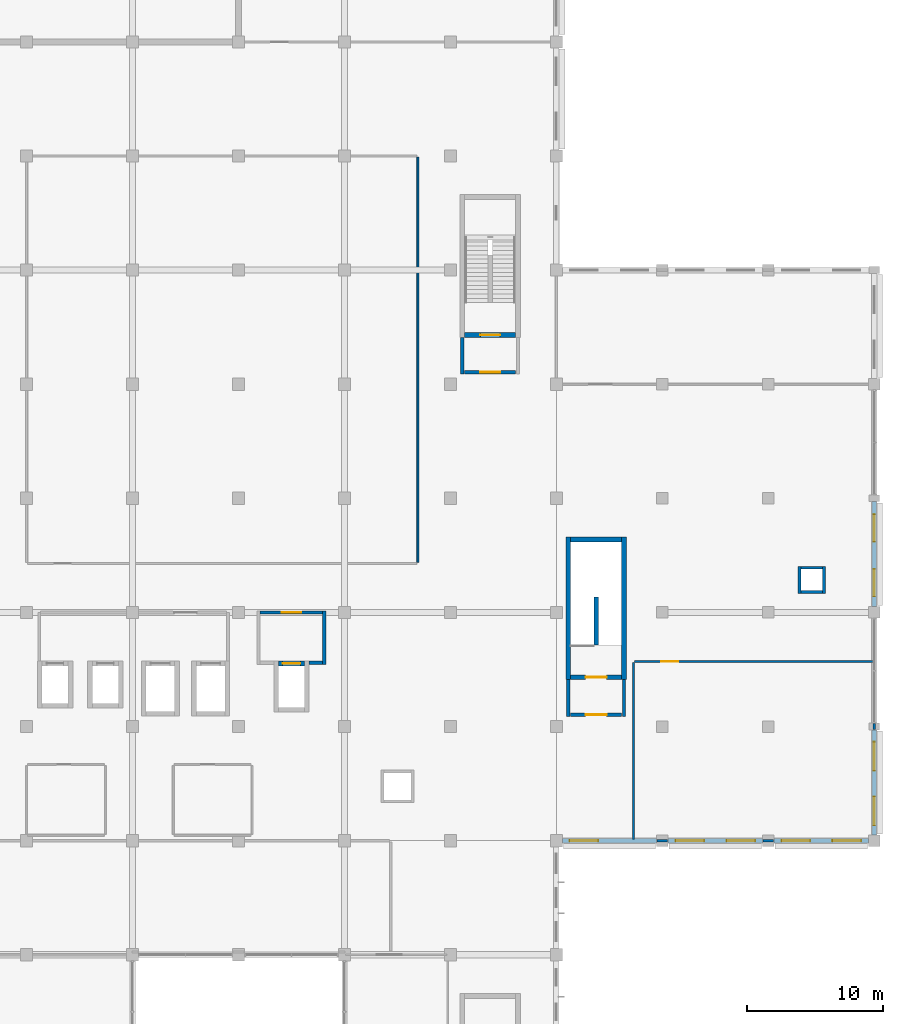
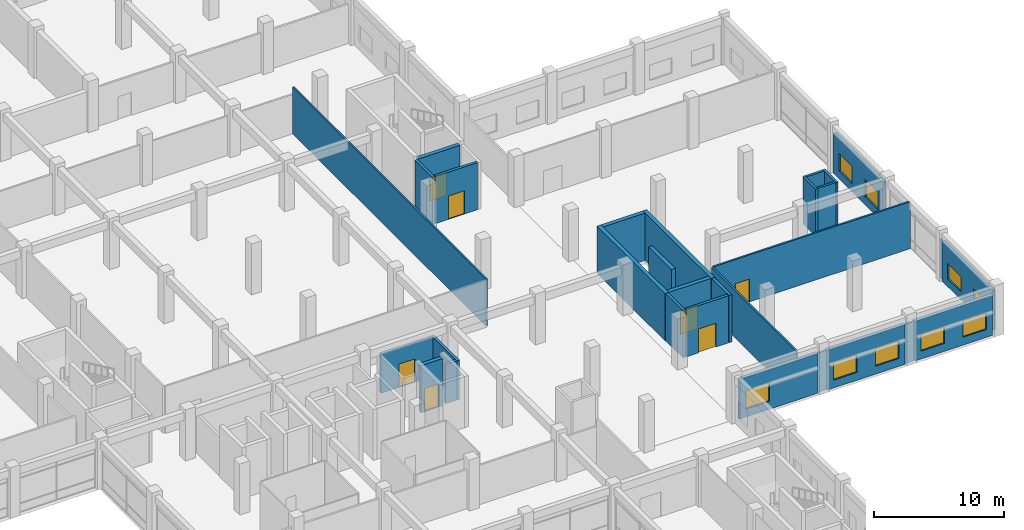
# One storey, part 64 of 79: 30 walls, 9 windows, 7 doors, 16 openings.
"""IFC4 building model written with IfcOpenShell, lengths in metres."""

import ifcopenshell
import ifcopenshell.guid

model = None  # the IFC model being written
_history = None  # IfcOwnerHistory: only IFC2X3 demands one
_inside = {}  # id of a spatial element -> (the spatial element, [elements in it])
_under = {}  # id of a project, library or spatial element -> (it, [spatial elements below it])
_declared = {}  # id of a project -> (the project, [libraries it declares])
_typed = {}  # id of a type object -> (the type object, [elements of that type])
_made_of = {}  # id of a material, layer set ... -> (it, [elements and type objects made of it])


def new_model(schema):
    """Start an empty IFC model of exactly this schema.

    Asked for "IFC4X3", IfcOpenShell would pick the latest addendum, in which some entities
    have other attributes; the version numbers below select the first issue.
    IFC2X3 requires an IfcOwnerHistory on every rooted entity: one is made here for all.
    """
    global model, _history
    if schema == "IFC4X3":
        model = ifcopenshell.file(schema_version=(4, 3, 0, 0))
    else:
        model = ifcopenshell.file(schema=schema)
    _inside.clear()
    _under.clear()
    _declared.clear()
    _typed.clear()
    _made_of.clear()
    _history = None
    if model.schema == "IFC2X3":
        org = make("IfcOrganization", Name="unknown")
        user = make(
            "IfcPersonAndOrganization",
            ThePerson=make("IfcPerson", FamilyName="unknown"),
            TheOrganization=org,
        )
        app = make(
            "IfcApplication",
            ApplicationDeveloper=org,
            Version="unknown",
            ApplicationFullName="unknown",
            ApplicationIdentifier="unknown",
        )
        _history = make(
            "IfcOwnerHistory",
            OwningUser=user,
            OwningApplication=app,
            ChangeAction="ADDED",
            CreationDate=0,
        )
    return model


def make(cls, **values):
    """One entity of the class cls with the attributes given. An attribute that is None is left unset."""
    return model.create_entity(
        cls, **{name: value for name, value in values.items() if value is not None}
    )


def rooted(cls, **values):
    """An entity with a GlobalId (a new one), such as an element, a storey or a relation."""
    return make(cls, GlobalId=ifcopenshell.guid.new(), OwnerHistory=_history, **values)


def si_unit(unit_type, name, prefix=None):
    """IfcSIUnit, for example si_unit("LENGTHUNIT", "METRE", prefix="MILLI")."""
    return make("IfcSIUnit", UnitType=unit_type, Prefix=prefix, Name=name)


def assignment(units):
    """IfcUnitAssignment: the units of a project."""
    return None if units is None else make("IfcUnitAssignment", Units=units)


def point(xyz):
    """IfcCartesianPoint."""
    return None if xyz is None else make("IfcCartesianPoint", Coordinates=xyz)


def direction(xyz):
    """IfcDirection."""
    return None if xyz is None else make("IfcDirection", DirectionRatios=xyz)


def frame(location, z_axis=None, x_axis=None):
    """IfcAxis2Placement3D, a coordinate frame: its origin and axes. An axis left out is left unset."""
    return make(
        "IfcAxis2Placement3D",
        Location=point(location),
        Axis=direction(z_axis),
        RefDirection=direction(x_axis),
    )


def frame_2d(location, x_axis=None):
    """IfcAxis2Placement2D, a coordinate frame in the plane: its origin and x axis."""
    return make(
        "IfcAxis2Placement2D", Location=point(location), RefDirection=direction(x_axis)
    )


def origin():
    """The frame at (0, 0, 0) with its axes left unset."""
    return frame((0.0, 0.0, 0.0))


def place(relative_to, where):
    """IfcLocalPlacement: puts the frame where relative to a parent placement (None: the world)."""
    return make(
        "IfcLocalPlacement", PlacementRelTo=relative_to, RelativePlacement=where
    )


def context(
    kind, dimensions, precision=None, world=None, true_north=None, identifier=None
):
    """IfcGeometricRepresentationContext, for example the 3D "Model" context."""
    return make(
        "IfcGeometricRepresentationContext",
        ContextIdentifier=identifier,
        ContextType=kind,
        CoordinateSpaceDimension=dimensions,
        Precision=precision,
        WorldCoordinateSystem=world,
        TrueNorth=true_north,
    )


def subcontext(parent, identifier, kind, view, scale=None):
    """IfcGeometricRepresentationSubContext, for example "Body" below "Model"."""
    return make(
        "IfcGeometricRepresentationSubContext",
        ContextIdentifier=identifier,
        ContextType=kind,
        ParentContext=parent,
        TargetScale=scale,
        TargetView=view,
    )


def project(units=None, contexts=None):
    """IfcProject with its units and contexts."""
    return rooted(
        "IfcProject",
        Name="project",
        RepresentationContexts=contexts,
        UnitsInContext=assignment(units),
    )


def spatial(cls, under=None, at=None, **own):
    """A site, building, storey or space (cls), placed at a placement, below another one or the project."""
    s = rooted(cls, ObjectPlacement=at, **own)
    if under is not None:
        _under.setdefault(under.id(), (under, []))[1].append(s)
    return s


def profile(cls, at=None, kind="AREA", **sizes):
    """A parametric profile (cls). Its sizes go by their IFC names, for example OverallWidth=200.0."""
    return make(cls, ProfileType=kind, Position=at, **sizes)


def rectangle(**sizes):
    """IfcRectangleProfileDef."""
    return profile("IfcRectangleProfileDef", **sizes)


def extrude(swept, where, along, depth):
    """IfcExtrudedAreaSolid: the profile swept, set in the frame where, extruded along a direction by depth."""
    return make(
        "IfcExtrudedAreaSolid",
        SweptArea=swept,
        Position=where,
        ExtrudedDirection=direction(along),
        Depth=depth,
    )


def shape(context_of_items, identifier, shape_type, items):
    """IfcShapeRepresentation: the items that make up one representation, for example the "Body"."""
    return make(
        "IfcShapeRepresentation",
        ContextOfItems=context_of_items,
        RepresentationIdentifier=identifier,
        RepresentationType=shape_type,
        Items=items,
    )


def material(Name=None, Category=None):
    """IfcMaterial."""
    return make("IfcMaterial", Name=Name, Category=Category)


def layer(
    of_material, thickness, ventilated=None, Name=None, Category=None, Priority=None
):
    """IfcMaterialLayer: one layer of a wall or slab, of a material (None: an air gap)."""
    return make(
        "IfcMaterialLayer",
        Material=of_material,
        LayerThickness=thickness,
        IsVentilated=ventilated,
        Name=Name,
        Category=Category,
        Priority=Priority,
    )


def layer_set(layers, Name=None):
    """IfcMaterialLayerSet."""
    return make("IfcMaterialLayerSet", MaterialLayers=layers, LayerSetName=Name)


def made_of(thing, what):
    """Note that an element or type object is made of a material, layer set ...; save() writes the relation."""
    if what is not None:
        _made_of.setdefault(what.id(), (what, []))[1].append(thing)
    return thing


def type_object(cls, material=None, **own):
    """A type object (cls), such as IfcWallType, which elements share."""
    return made_of(rooted(cls, **own), material)


def element(
    cls,
    number,
    at=None,
    inside=None,
    cuts=None,
    type_object=None,
    material=None,
    context=None,
    identifier="Body",
    shape_type=None,
    held_by="IfcProductDefinitionShape",
    body=None,
    shapes=None,
    **own,
):
    """One element of the class cls, such as IfcWall. Its Tag is "e" and its number.

    at: its placement. inside: the storey or other place that contains it. cuts: it is an
    opening in that element (IfcRelVoidsElement). A single representation is given by context,
    identifier, shape_type and body (its items); several are given by shapes. held_by: the class
    of the entity that holds the representations. save() writes the other relations.
    """
    e = rooted(cls, Tag="e%d" % number, ObjectPlacement=at, **own)
    if body is not None:
        shapes = [shape(context, identifier, shape_type, body)]
    if shapes is not None:
        e.Representation = make(held_by, Representations=shapes)
    if inside is not None:
        _inside.setdefault(inside.id(), (inside, []))[1].append(e)
    if cuts is not None:
        rooted(
            "IfcRelVoidsElement", RelatingBuildingElement=cuts, RelatedOpeningElement=e
        )
    if type_object is not None:
        _typed.setdefault(type_object.id(), (type_object, []))[1].append(e)
    return made_of(e, material)


def fill(opening, filler):
    """IfcRelFillsElement: the door or window that sits in an opening."""
    return rooted(
        "IfcRelFillsElement",
        RelatingOpeningElement=opening,
        RelatedBuildingElement=filler,
    )


def aggregate(whole, parts):
    """IfcRelAggregates: a whole, such as a stair, and the parts it consists of."""
    return rooted("IfcRelAggregates", RelatingObject=whole, RelatedObjects=parts)


def save(model, path):
    """Write the relations noted so far, then the file.

    IfcRelAggregates (storeys below a building ...), IfcRelContainedInSpatialStructure (elements
    in a storey), IfcRelDefinesByType, IfcRelAssociatesMaterial and IfcRelDeclares: one each for
    every whole, place, type object, material and project.
    """
    for whole, parts in _under.values():
        aggregate(whole, parts)
    for where, things in _inside.values():
        rooted(
            "IfcRelContainedInSpatialStructure",
            RelatedElements=things,
            RelatingStructure=where,
        )
    for kind, things in _typed.values():
        rooted("IfcRelDefinesByType", RelatedObjects=things, RelatingType=kind)
    for what, things in _made_of.values():
        rooted("IfcRelAssociatesMaterial", RelatedObjects=things, RelatingMaterial=what)
    for by, libraries in _declared.values():
        rooted("IfcRelDeclares", RelatingContext=by, RelatedDefinitions=libraries)
    model.write(path)


model = new_model("IFC4")

# Units and contexts
model_context = context("Model", 3, precision=1e-05, world=origin(), true_north=direction((0.0, 1.0)))
body_context = subcontext(model_context, "Body", "Model", "MODEL_VIEW")
ifc_project = project(units=[si_unit("LENGTHUNIT", "METRE"), si_unit("AREAUNIT", "SQUARE_METRE"), si_unit("VOLUMEUNIT", "CUBIC_METRE"), si_unit("PLANEANGLEUNIT", "RADIAN"), si_unit("MASSUNIT", "GRAM", prefix="KILO"), si_unit("THERMODYNAMICTEMPERATUREUNIT", "KELVIN"), si_unit("POWERUNIT", "WATT")], contexts=[model_context])

# Site, building, storey
site_placement = place(None, origin())
site = spatial("IfcSite", under=ifc_project, at=site_placement, CompositionType="ELEMENT")
building_placement = place(site_placement, origin())
building = spatial("IfcBuilding", under=site, at=building_placement, Name="Srebrne Nadtorze General Hospital", CompositionType="ELEMENT")
storey_placement = place(building_placement, frame((0.0, 0.0, 4.800048828125)))
storey = spatial("IfcBuildingStorey", under=building, at=storey_placement, Name="L01", CompositionType="ELEMENT", Elevation=4.800048828125)

# Wall
ifc_material_1 = material(Name="Gypsum Healthcare Partition")
ifc_layer_1 = layer(ifc_material_1, 0.139892578125)
ifc_layer_set_1 = layer_set([ifc_layer_1], Name="Gypsum Healthcare Partition")
wall_type_1 = type_object("IfcWallType", Name="Clinical partition 140", PredefinedType="PARTITIONING", material=ifc_layer_set_1)
wall_1_placement = place(storey_placement, frame((138.0, 54.0849609375, 0.0), z_axis=(0.0, 0.0, 1.0), x_axis=(0.0, 1.0, 0.0)))
element("IfcWall", 1, at=wall_1_placement, inside=storey, type_object=wall_type_1, Name="Nuclear Medicine Diagnostics wall WL-INT-L01-1450", PredefinedType="PARTITIONING", context=body_context, shape_type="SweptSolid", body=[
    extrude(rectangle(XDim=29.830078125, YDim=0.139892578125, at=frame_2d((14.9150390625, 0.0))), origin(), (0.0, 0.0, 1.0), 4.429931640625),
])

# Wall, opening, door
ifc_material_2 = material(Name="Gypsum Healthcare Partition")
ifc_layer_2 = layer(ifc_material_2, 0.159912109375)
ifc_layer_set_2 = layer_set([ifc_layer_2], Name="Gypsum Healthcare Partition")
wall_type_2 = type_object("IfcWallType", Name="Clinical partition 160", PredefinedType="PARTITIONING", material=ifc_layer_set_2)
wall_2_placement = place(storey_placement, frame((153.9599609375, 46.800048828125, 0.0), z_axis=(0.0, 0.0, 1.0), x_axis=(1.0, 0.0, 0.0)))
wall_2 = element("IfcWall", 2, at=wall_2_placement, inside=storey, type_object=wall_type_2, Name="Endoscopy Diagnostics Clinic wall WL-INT-L01-1456", PredefinedType="PARTITIONING", context=body_context, shape_type="SweptSolid", body=[
    extrude(rectangle(XDim=17.554931640625, YDim=0.159912109375, at=frame_2d((8.77734375, 0.0))), origin(), (0.0, 0.0, 1.0), 4.429931640625),
])
opening_1_placement = place(wall_2_placement, frame((1.97119140625, 0.0, 0.0)))
opening_1 = element("IfcOpeningElement", 3, at=opening_1_placement, cuts=wall_2, Name="Opening D-L01-0229", PredefinedType="OPENING", context=body_context, shape_type="SweptSolid", body=[
    extrude(rectangle(XDim=1.219970703125, YDim=2.14990234375, at=frame_2d((0.60986328125, 1.074951171875))), frame((0.0, 0.091796875, 0.0), z_axis=(0.0, -1.0, 0.0), x_axis=(1.0, 0.0, 0.0)), (0.0, 0.0, 1.0), 0.183837890625),
])
ifc_material_3 = material(Name="Anodised Aluminium", Category="aluminium")
door_type_1 = type_object("IfcDoorType", Name="Single leaf door 1220x2150", OperationType="NOTDEFINED", PredefinedType="DOOR", material=ifc_material_3)
door_1_placement = place(opening_1_placement, frame((1.219970703125, 0.0, 0.0), z_axis=(0.0, 0.0, 1.0), x_axis=(-1.0, 0.0, 0.0)))
door_1 = element("IfcDoor", 4, at=door_1_placement, inside=storey, type_object=door_type_1, Name="Endoscopy Diagnostics Clinic door D-L01-0229", OperationType="SINGLE_SWING_RIGHT", OverallHeight=2.14990234375, OverallWidth=1.219970703125, PredefinedType="DOOR", context=body_context, shape_type="SweptSolid", body=[
    extrude(rectangle(XDim=1.219970703125, YDim=2.14990234375, at=frame_2d((0.60986328125, 1.074951171875))), frame((0.0, 0.02490234375, 0.0), z_axis=(0.0, -1.0, 0.0), x_axis=(1.0, 0.0, 0.0)), (0.0, 0.0, 1.0), 0.050048828125),
])
fill(opening_1, door_1)

# Walls
for number, where, z_axis, x_axis, name in (
    (5, (155.614990234375, 33.60009765625, 0.0), (0.0, 0.0, 1.0), (1.0, 0.0, 0.0), "Endoscopy Diagnostics Clinic wall WL-INT-L01-1457"),
    (6, (163.4150390625, 33.60009765625, 0.0), (0.0, 0.0, 1.0), (1.0, 0.0, 0.0), "Endoscopy Diagnostics Clinic wall WL-INT-L01-1458"),
):
    element("IfcWall", number, at=place(storey_placement, frame(where, z_axis=z_axis, x_axis=x_axis)), inside=storey, type_object=wall_type_2, Name=name, PredefinedType="PARTITIONING", context=body_context, shape_type="SweptSolid", body=[
        extrude(rectangle(XDim=0.77001953125, YDim=0.159912109375, at=frame_2d((0.385009765625, 0.0))), origin(), (0.0, 0.0, 1.0), 3.699951171875),
    ])
wall_3_placement = place(storey_placement, frame((153.875, 33.68505859375, 0.0), z_axis=(0.0, 0.0, 1.0), x_axis=(0.0, 1.0, 0.0)))
element("IfcWall", 7, at=wall_3_placement, inside=storey, type_object=wall_type_2, Name="Endoscopy Diagnostics Clinic wall WL-INT-L01-1459", PredefinedType="PARTITIONING", context=body_context, shape_type="SweptSolid", body=[
    extrude(rectangle(XDim=13.030029296875, YDim=0.159912109375, at=frame_2d((6.51513671875, 0.0))), origin(), (0.0, 0.0, 1.0), 4.429931640625),
])
wall_4_placement = place(storey_placement, frame((171.60009765625, 41.7900390625, 0.0), z_axis=(0.0, 0.0, 1.0), x_axis=(0.0, 1.0, 0.0)))
element("IfcWall", 8, at=wall_4_placement, inside=storey, type_object=wall_type_2, Name="Endoscopy Diagnostics Clinic wall WL-INT-L01-1460", PredefinedType="PARTITIONING", context=body_context, shape_type="SweptSolid", body=[
    extrude(rectangle(XDim=0.419921875, YDim=0.159912109375, at=frame_2d((0.2099609375, 0.0))), origin(), (0.0, 0.0, 1.0), 3.699951171875),
])
ifc_material_4 = material(Name="Gypsum Healthcare Partition")
ifc_layer_3 = layer(ifc_material_4, 0.199951171875)
ifc_layer_set_3 = layer_set([ifc_layer_3], Name="Gypsum Healthcare Partition")
wall_type_3 = type_object("IfcWallType", Name="Compartment wall 200", PredefinedType="STANDARD", material=ifc_layer_set_3)
for number, where, z_axis, x_axis, name in (
    (9, (166.10009765625, 51.800048828125, 0.0), (0.0, 0.0, 1.0), (0.0, 1.0, 0.0), "MEP riser wall WL-INT-L01-0977"),
    (10, (167.89990234375, 51.800048828125, 0.0), (0.0, 0.0, 1.0), (0.0, 1.0, 0.0), "MEP riser wall WL-INT-L01-0978"),
):
    element("IfcWall", number, at=place(storey_placement, frame(where, z_axis=z_axis, x_axis=x_axis)), inside=storey, type_object=wall_type_3, Name=name, PredefinedType="STANDARD", context=body_context, shape_type="SweptSolid", body=[
        extrude(rectangle(XDim=2.0, YDim=0.199951171875, at=frame_2d((1.0, 0.0))), origin(), (0.0, 0.0, 1.0), 4.449951171875),
    ])
for number, where, z_axis, x_axis, name in (
    (11, (166.199951171875, 51.89990234375, 0.0), (0.0, 0.0, 1.0), (1.0, 0.0, 0.0), "MEP riser wall WL-INT-L01-0979"),
    (12, (166.199951171875, 53.699951171875, 0.0), (0.0, 0.0, 1.0), (1.0, 0.0, 0.0), "MEP riser wall WL-INT-L01-0980"),
):
    element("IfcWall", number, at=place(storey_placement, frame(where, z_axis=z_axis, x_axis=x_axis)), inside=storey, type_object=wall_type_3, Name=name, PredefinedType="STANDARD", context=body_context, shape_type="SweptSolid", body=[
        extrude(rectangle(XDim=1.60009765625, YDim=0.199951171875, at=frame_2d((0.800048828125, 0.0))), origin(), (0.0, 0.0, 1.0), 4.449951171875),
    ])
ifc_material_5 = material(Name="Gypsum Healthcare Partition")
ifc_layer_4 = layer(ifc_material_5, 0.239990234375)
ifc_layer_set_4 = layer_set([ifc_layer_4], Name="Gypsum Healthcare Partition")
wall_type_4 = type_object("IfcWallType", Name="Corridor fire wall 240", PredefinedType="STANDARD", material=ifc_layer_set_4)
wall_5_placement = place(storey_placement, frame((141.27490234375, 67.955078125, 0.0), z_axis=(0.0, 0.0, 1.0), x_axis=(0.0, 1.0, 0.0)))
element("IfcWall", 13, at=wall_5_placement, inside=storey, type_object=wall_type_4, Name="Fire lobby wall ST-04 WL-INT-L01-0157", PredefinedType="STANDARD", context=body_context, shape_type="SweptSolid", body=[
    extrude(rectangle(XDim=2.69482421875, YDim=0.239990234375, at=frame_2d((1.347412109375, 0.0))), origin(), (0.0, 0.0, 1.0), 4.449951171875),
])

# Wall, opening, door
wall_6_placement = place(storey_placement, frame((141.449951171875, 68.074951171875, 0.0), z_axis=(0.0, 0.0, 1.0), x_axis=(1.0, 0.0, 0.0)))
wall_6 = element("IfcWall", 14, at=wall_6_placement, inside=storey, type_object=wall_type_4, Name="Fire lobby entry wall ST-04 WL-INT-L01-0159", PredefinedType="STANDARD", context=body_context, shape_type="SweptSolid", body=[
    extrude(rectangle(XDim=3.75, YDim=0.239990234375, at=frame_2d((1.875, 0.0))), origin(), (0.0, 0.0, 1.0), 4.449951171875),
])
opening_2_placement = place(wall_6_placement, frame((1.14990234375, 0.0, 0.0)))
opening_2 = element("IfcOpeningElement", 15, at=opening_2_placement, cuts=wall_6, Name="Opening D-L01-0040", PredefinedType="OPENING", context=body_context, shape_type="SweptSolid", body=[
    extrude(rectangle(XDim=1.449951171875, YDim=2.199951171875, at=frame_2d((0.72509765625, 1.10009765625))), frame((0.0, 0.1318359375, 0.0), z_axis=(0.0, -1.0, 0.0), x_axis=(1.0, 0.0, 0.0)), (0.0, 0.0, 1.0), 0.263916015625),
])
ifc_material_6 = material(Name="Anodised Aluminium", Category="aluminium")
door_type_2 = type_object("IfcDoorType", Name="Double leaf door 1450x2200", OperationType="DOUBLE_DOOR_SINGLE_SWING", PredefinedType="DOOR", material=ifc_material_6)
door_2_placement = place(opening_2_placement, origin())
door_2 = element("IfcDoor", 16, at=door_2_placement, inside=storey, type_object=door_type_2, Name="Fire lobby door ST-04 D-L01-0040", OperationType="DOUBLE_DOOR_SINGLE_SWING", OverallHeight=2.199951171875, OverallWidth=1.449951171875, PredefinedType="DOOR", context=body_context, shape_type="SweptSolid", body=[
    extrude(rectangle(XDim=1.449951171875, YDim=2.199951171875, at=frame_2d((0.72509765625, 1.10009765625))), frame((0.0, 0.02490234375, 0.0), z_axis=(0.0, -1.0, 0.0), x_axis=(1.0, 0.0, 0.0)), (0.0, 0.0, 1.0), 0.050048828125),
])
fill(opening_2, door_2)

# Walls
for number, where, z_axis, x_axis, name in (
    (17, (149.074951171875, 42.7548828125, 0.0), (0.0, 0.0, 1.0), (0.0, 1.0, 0.0), "Fire lobby wall ST-06 WL-INT-L01-0173"),
    (18, (153.175048828125, 42.7548828125, 0.0), (0.0, 0.0, 1.0), (0.0, 1.0, 0.0), "Fire lobby wall ST-06 WL-INT-L01-0174"),
):
    element("IfcWall", number, at=place(storey_placement, frame(where, z_axis=z_axis, x_axis=x_axis)), inside=storey, type_object=wall_type_4, Name=name, PredefinedType="STANDARD", context=body_context, shape_type="SweptSolid", body=[
        extrude(rectangle(XDim=2.695068359375, YDim=0.239990234375, at=frame_2d((1.34765625, 0.0))), origin(), (0.0, 0.0, 1.0), 4.449951171875),
    ])

# Wall, opening, door
wall_7_placement = place(storey_placement, frame((149.25, 42.875, 0.0), z_axis=(0.0, 0.0, 1.0), x_axis=(1.0, 0.0, 0.0)))
wall_7 = element("IfcWall", 19, at=wall_7_placement, inside=storey, type_object=wall_type_4, Name="Fire lobby entry wall ST-06 WL-INT-L01-0175", PredefinedType="STANDARD", context=body_context, shape_type="SweptSolid", body=[
    extrude(rectangle(XDim=3.75, YDim=0.239990234375, at=frame_2d((1.875, 0.0))), origin(), (0.0, 0.0, 1.0), 4.449951171875),
])
opening_3_placement = place(wall_7_placement, frame((1.10009765625, 0.0, 0.0)))
opening_3 = element("IfcOpeningElement", 20, at=opening_3_placement, cuts=wall_7, Name="Opening D-L01-0044", PredefinedType="OPENING", context=body_context, shape_type="SweptSolid", body=[
    extrude(rectangle(XDim=1.550048828125, YDim=2.25, at=frame_2d((0.77490234375, 1.125))), frame((0.0, 0.1318359375, 0.0), z_axis=(0.0, -1.0, 0.0), x_axis=(1.0, 0.0, 0.0)), (0.0, 0.0, 1.0), 0.263916015625),
])
ifc_material_7 = material(Name="Anodised Aluminium", Category="aluminium")
door_type_3 = type_object("IfcDoorType", Name="Double leaf door 1550x2250", OperationType="DOUBLE_DOOR_SINGLE_SWING", PredefinedType="DOOR", material=ifc_material_7)
door_3_placement = place(opening_3_placement, origin())
door_3 = element("IfcDoor", 21, at=door_3_placement, inside=storey, type_object=door_type_3, Name="Fire lobby door ST-06 D-L01-0044", OperationType="DOUBLE_DOOR_SINGLE_SWING", OverallHeight=2.25, OverallWidth=1.550048828125, PredefinedType="DOOR", context=body_context, shape_type="SweptSolid", body=[
    extrude(rectangle(XDim=1.550048828125, YDim=2.25, at=frame_2d((0.77490234375, 1.125))), frame((0.0, 0.02490234375, 0.0), z_axis=(0.0, -1.0, 0.0), x_axis=(1.0, 0.0, 0.0)), (0.0, 0.0, 1.0), 0.050048828125),
])
fill(opening_3, door_3)

# Walls
wall_8_placement = place(storey_placement, frame((131.1201171875, 46.570068359375, 0.0), z_axis=(0.0, 0.0, 1.0), x_axis=(0.0, 1.0, 0.0)))
element("IfcWall", 22, at=wall_8_placement, inside=storey, type_object=wall_type_4, Name="FF lift lobby wall WL-INT-L01-0950", PredefinedType="STANDARD", context=body_context, shape_type="SweptSolid", body=[
    extrude(rectangle(XDim=3.949951171875, YDim=0.239990234375, at=frame_2d((1.97509765625, 0.0))), origin(), (0.0, 0.0, 1.0), 3.699951171875),
])
wall_9_placement = place(storey_placement, frame((130.0, 46.68994140625, 0.0), z_axis=(0.0, 0.0, 1.0), x_axis=(1.0, 0.0, 0.0)))
element("IfcWall", 23, at=wall_9_placement, inside=storey, type_object=wall_type_4, Name="FF lift lobby return wall WL-INT-L01-0952", PredefinedType="STANDARD", context=body_context, shape_type="SweptSolid", body=[
    extrude(rectangle(XDim=1.0, YDim=0.239990234375, at=frame_2d((0.5, 0.0))), origin(), (0.0, 0.0, 1.0), 3.699951171875),
])

# Wall, opening, door
wall_10_placement = place(storey_placement, frame((126.39990234375, 50.39990234375, 0.0), z_axis=(0.0, 0.0, 1.0), x_axis=(1.0, 0.0, 0.0)))
wall_10 = element("IfcWall", 24, at=wall_10_placement, inside=storey, type_object=wall_type_4, Name="FF lift lobby front wall WL-INT-L01-0953", PredefinedType="STANDARD", context=body_context, shape_type="SweptSolid", body=[
    extrude(rectangle(XDim=4.60009765625, YDim=0.239990234375, at=frame_2d((2.300048828125, 0.0))), origin(), (0.0, 0.0, 1.0), 3.699951171875),
])
opening_4_placement = place(wall_10_placement, frame((1.574951171875, 0.0, 0.0)))
opening_4 = element("IfcOpeningElement", 25, at=opening_4_placement, cuts=wall_10, Name="Opening D-L01-0130", PredefinedType="OPENING", context=body_context, shape_type="SweptSolid", body=[
    extrude(rectangle(XDim=1.449951171875, YDim=2.199951171875, at=frame_2d((0.72509765625, 1.10009765625))), frame((0.0, 0.1318359375, 0.0), z_axis=(0.0, -1.0, 0.0), x_axis=(1.0, 0.0, 0.0)), (0.0, 0.0, 1.0), 0.263916015625),
])
door_4_placement = place(opening_4_placement, origin())
door_4 = element("IfcDoor", 26, at=door_4_placement, inside=storey, type_object=door_type_2, Name="Firefighting lift lobby door D-L01-0130", OperationType="DOUBLE_DOOR_SINGLE_SWING", OverallHeight=2.199951171875, OverallWidth=1.449951171875, PredefinedType="DOOR", context=body_context, shape_type="SweptSolid", body=[
    extrude(rectangle(XDim=1.449951171875, YDim=2.199951171875, at=frame_2d((0.72509765625, 1.10009765625))), frame((0.0, 0.02490234375, 0.0), z_axis=(0.0, -1.0, 0.0), x_axis=(1.0, 0.0, 0.0)), (0.0, 0.0, 1.0), 0.050048828125),
])
fill(opening_4, door_4)

ifc_material_8 = material(Name="Concrete C40/50", Category="concrete")
ifc_layer_5 = layer(ifc_material_8, 0.35009765625)
ifc_layer_set_5 = layer_set([ifc_layer_5], Name="Concrete C40/50")
wall_type_5 = type_object("IfcWallType", Name="Shear core wall 350", PredefinedType="SHEAR", material=ifc_layer_set_5)
wall_11_placement = place(storey_placement, frame((141.449951171875, 70.824951171875, 0.0), z_axis=(0.0, 0.0, 1.0), x_axis=(1.0, 0.0, 0.0)))
wall_11 = element("IfcWall", 27, at=wall_11_placement, inside=storey, type_object=wall_type_5, Name="Stairwell fire wall ST-04 WL-INT-L01-0156", PredefinedType="SHEAR", context=body_context, shape_type="SweptSolid", body=[
    extrude(rectangle(XDim=3.75, YDim=0.35009765625, at=frame_2d((1.875, 0.0))), origin(), (0.0, 0.0, 1.0), 4.449951171875),
])
opening_5_placement = place(wall_11_placement, frame((1.14990234375, 0.0, 0.0)))
opening_5 = element("IfcOpeningElement", 28, at=opening_5_placement, cuts=wall_11, Name="Opening D-L01-0039", PredefinedType="OPENING", context=body_context, shape_type="SweptSolid", body=[
    extrude(rectangle(XDim=1.449951171875, YDim=2.199951171875, at=frame_2d((0.72509765625, 1.10009765625))), frame((0.0, 0.18701171875, 0.0), z_axis=(0.0, -1.0, 0.0), x_axis=(1.0, 0.0, 0.0)), (0.0, 0.0, 1.0), 0.3740234375),
])
door_5_placement = place(opening_5_placement, origin())
door_5 = element("IfcDoor", 29, at=door_5_placement, inside=storey, type_object=door_type_2, Name="Protected stair door ST-04 D-L01-0039", OperationType="DOUBLE_DOOR_SINGLE_SWING", OverallHeight=2.199951171875, OverallWidth=1.449951171875, PredefinedType="DOOR", context=body_context, shape_type="SweptSolid", body=[
    extrude(rectangle(XDim=1.449951171875, YDim=2.199951171875, at=frame_2d((0.72509765625, 1.10009765625))), frame((0.0, 0.02490234375, 0.0), z_axis=(0.0, -1.0, 0.0), x_axis=(1.0, 0.0, 0.0)), (0.0, 0.0, 1.0), 0.050048828125),
])
fill(opening_5, door_5)

# Walls
for number, where, z_axis, x_axis, name in (
    (30, (149.074951171875, 45.449951171875, 0.0), (0.0, 0.0, 1.0), (0.0, 1.0, 0.0), "Stair core wall ST-06 WL-INT-L01-0169"),
    (31, (153.175048828125, 45.449951171875, 0.0), (0.0, 0.0, 1.0), (0.0, 1.0, 0.0), "Stair core wall ST-06 WL-INT-L01-0170"),
):
    element("IfcWall", number, at=place(storey_placement, frame(where, z_axis=z_axis, x_axis=x_axis)), inside=storey, type_object=wall_type_5, Name=name, PredefinedType="SHEAR", context=body_context, shape_type="SweptSolid", body=[
        extrude(rectangle(XDim=10.5, YDim=0.35009765625, at=frame_2d((5.25, 0.0))), origin(), (0.0, 0.0, 1.0), 4.449951171875),
    ])
wall_12_placement = place(storey_placement, frame((149.25, 55.77490234375, 0.0), z_axis=(0.0, 0.0, 1.0), x_axis=(1.0, 0.0, 0.0)))
element("IfcWall", 32, at=wall_12_placement, inside=storey, type_object=wall_type_5, Name="Stair core wall ST-06 WL-INT-L01-0171", PredefinedType="SHEAR", context=body_context, shape_type="SweptSolid", body=[
    extrude(rectangle(XDim=3.75, YDim=0.35009765625, at=frame_2d((1.875, 0.0))), origin(), (0.0, 0.0, 1.0), 4.449951171875),
])

# Wall, opening, door
wall_13_placement = place(storey_placement, frame((149.25, 45.625, 0.0), z_axis=(0.0, 0.0, 1.0), x_axis=(1.0, 0.0, 0.0)))
wall_13 = element("IfcWall", 33, at=wall_13_placement, inside=storey, type_object=wall_type_5, Name="Stairwell fire wall ST-06 WL-INT-L01-0172", PredefinedType="SHEAR", context=body_context, shape_type="SweptSolid", body=[
    extrude(rectangle(XDim=3.75, YDim=0.35009765625, at=frame_2d((1.875, 0.0))), origin(), (0.0, 0.0, 1.0), 4.449951171875),
])
opening_6_placement = place(wall_13_placement, frame((1.10009765625, 0.0, 0.0)))
opening_6 = element("IfcOpeningElement", 34, at=opening_6_placement, cuts=wall_13, Name="Opening D-L01-0043", PredefinedType="OPENING", context=body_context, shape_type="SweptSolid", body=[
    extrude(rectangle(XDim=1.550048828125, YDim=2.25, at=frame_2d((0.77490234375, 1.125))), frame((0.0, 0.18701171875, 0.0), z_axis=(0.0, -1.0, 0.0), x_axis=(1.0, 0.0, 0.0)), (0.0, 0.0, 1.0), 0.3740234375),
])
door_6_placement = place(opening_6_placement, origin())
door_6 = element("IfcDoor", 35, at=door_6_placement, inside=storey, type_object=door_type_3, Name="Protected stair door ST-06 D-L01-0043", OperationType="DOUBLE_DOOR_SINGLE_SWING", OverallHeight=2.25, OverallWidth=1.550048828125, PredefinedType="DOOR", context=body_context, shape_type="SweptSolid", body=[
    extrude(rectangle(XDim=1.550048828125, YDim=2.25, at=frame_2d((0.77490234375, 1.125))), frame((0.0, 0.02490234375, 0.0), z_axis=(0.0, -1.0, 0.0), x_axis=(1.0, 0.0, 0.0)), (0.0, 0.0, 1.0), 0.050048828125),
])
fill(opening_6, door_6)

# Wall
wall_14_placement = place(storey_placement, frame((151.125, 48.0, 0.0), z_axis=(0.0, 0.0, 1.0), x_axis=(0.0, 1.0, 0.0)))
element("IfcWall", 36, at=wall_14_placement, inside=storey, type_object=wall_type_5, Name="Stair spine wall ST-06 WL-INT-L01-0176", PredefinedType="SHEAR", context=body_context, shape_type="SweptSolid", body=[
    extrude(rectangle(XDim=3.52001953125, YDim=0.35009765625, at=frame_2d((1.760009765625, 0.0))), origin(), (0.0, 0.0, 1.0), 4.449951171875),
])

# Wall, opening, door
wall_15_placement = place(storey_placement, frame((127.75, 46.635009765625, 0.0), z_axis=(0.0, 0.0, 1.0), x_axis=(1.0, 0.0, 0.0)))
wall_15 = element("IfcWall", 37, at=wall_15_placement, inside=storey, type_object=wall_type_5, Name="Lift shaft front wall FL-03 WL-INT-L01-0845", PredefinedType="SHEAR", context=body_context, shape_type="SweptSolid", body=[
    extrude(rectangle(XDim=1.89990234375, YDim=0.35009765625, at=frame_2d((0.949951171875, 0.0))), origin(), (0.0, 0.0, 1.0), 4.449951171875),
])
opening_7_placement = place(wall_15_placement, frame((0.300048828125, 0.0, 0.0)))
opening_7 = element("IfcOpeningElement", 38, at=opening_7_placement, cuts=wall_15, Name="Opening LD-L01-095", PredefinedType="OPENING", context=body_context, shape_type="SweptSolid", body=[
    extrude(rectangle(XDim=1.300048828125, YDim=2.199951171875, at=frame_2d((0.64990234375, 1.10009765625))), frame((0.0, 0.18701171875, 0.0), z_axis=(0.0, -1.0, 0.0), x_axis=(1.0, 0.0, 0.0)), (0.0, 0.0, 1.0), 0.3740234375),
])
ifc_material_9 = material(Name="Anodised Aluminium", Category="aluminium")
door_type_4 = type_object("IfcDoorType", Name="Sliding lift door 1300x2200", OperationType="SLIDING_TO_LEFT", PredefinedType="DOOR", material=ifc_material_9)
door_7_placement = place(opening_7_placement, origin())
door_7 = element("IfcDoor", 39, at=door_7_placement, inside=storey, type_object=door_type_4, Name="Lift Landing Door LD-L01-095", OperationType="SLIDING_TO_LEFT", OverallHeight=2.199951171875, OverallWidth=1.300048828125, PredefinedType="DOOR", context=body_context, shape_type="SweptSolid", body=[
    extrude(rectangle(XDim=1.300048828125, YDim=2.199951171875, at=frame_2d((0.64990234375, 1.10009765625))), frame((0.0, 0.02490234375, 0.0), z_axis=(0.0, -1.0, 0.0), x_axis=(1.0, 0.0, 0.0)), (0.0, 0.0, 1.0), 0.050048828125),
])
fill(opening_7, door_7)

# Wall, opening, window
ifc_material_10 = material(Name="Concrete C35/45", Category="concrete")
ifc_layer_6 = layer(ifc_material_10, 0.320068359375)
ifc_layer_set_6 = layer_set([ifc_layer_6], Name="Concrete C35/45")
wall_type_6 = type_object("IfcWallType", Name="Spandrel wall 320", PredefinedType="STANDARD", material=ifc_layer_set_6)
wall_16_placement = place(storey_placement, frame((148.64990234375, 33.60009765625, 0.0), z_axis=(0.0, 0.0, 1.0), x_axis=(1.0, 0.0, 0.0)))
wall_16 = element("IfcWall", 40, at=wall_16_placement, inside=storey, type_object=wall_type_6, Name="Exterior wall WL-ENV-L01-0159", PredefinedType="STANDARD", context=body_context, shape_type="SweptSolid", body=[
    extrude(rectangle(XDim=6.925048828125, YDim=0.320068359375, at=frame_2d((3.46240234375, 0.0))), origin(), (0.0, 0.0, 1.0), 3.75),
])
opening_8_placement = place(wall_16_placement, frame((0.528076171875, 0.0, 0.75)))
opening_8 = element("IfcOpeningElement", 41, at=opening_8_placement, cuts=wall_16, Name="Opening WN-L01-0139", PredefinedType="OPENING", context=body_context, shape_type="SweptSolid", body=[
    extrude(rectangle(XDim=2.10009765625, YDim=1.75, at=frame_2d((1.050048828125, 0.875))), frame((0.0, 0.171875, 0.0), z_axis=(0.0, -1.0, 0.0), x_axis=(1.0, 0.0, 0.0)), (0.0, 0.0, 1.0), 0.343994140625),
])
ifc_material_11 = material(Name="Triple Low-E Glazing", Category="glass")
window_type_1 = type_object("IfcWindowType", Name="Punched clinical window 2100x1750", PartitioningType="DOUBLE_PANEL_VERTICAL", PredefinedType="WINDOW", material=ifc_material_11)
window_1_placement = place(opening_8_placement, origin())
window_1 = element("IfcWindow", 42, at=window_1_placement, inside=storey, type_object=window_type_1, Name="Clinical window WN-L01-0139", OverallHeight=1.75, OverallWidth=2.10009765625, PartitioningType="DOUBLE_PANEL_VERTICAL", PredefinedType="WINDOW", context=body_context, shape_type="SweptSolid", body=[
    extrude(rectangle(XDim=2.10009765625, YDim=1.75, at=frame_2d((1.050048828125, 0.875))), frame((0.0, 0.030029296875, 0.0), z_axis=(0.0, -1.0, 0.0), x_axis=(1.0, 0.0, 0.0)), (0.0, 0.0, 1.0), 0.06005859375),
])
fill(opening_8, window_1)

# Wall, openings, windows
wall_17_placement = place(storey_placement, frame((156.425048828125, 33.60009765625, 0.0), z_axis=(0.0, 0.0, 1.0), x_axis=(1.0, 0.0, 0.0)))
wall_17 = element("IfcWall", 43, at=wall_17_placement, inside=storey, type_object=wall_type_6, Name="Exterior wall WL-ENV-L01-0160", PredefinedType="STANDARD", context=body_context, shape_type="SweptSolid", body=[
    extrude(rectangle(XDim=6.949951171875, YDim=0.320068359375, at=frame_2d((3.47509765625, 0.0))), origin(), (0.0, 0.0, 1.0), 3.75),
])
opening_9_placement = place(wall_17_placement, frame((0.552978515625, 0.0, 0.75)))
opening_9 = element("IfcOpeningElement", 44, at=opening_9_placement, cuts=wall_17, Name="Opening WN-L01-0140", PredefinedType="OPENING", context=body_context, shape_type="SweptSolid", body=[
    extrude(rectangle(XDim=2.10009765625, YDim=1.64990234375, at=frame_2d((1.050048828125, 0.824951171875))), frame((0.0, 0.171875, 0.0), z_axis=(0.0, -1.0, 0.0), x_axis=(1.0, 0.0, 0.0)), (0.0, 0.0, 1.0), 0.343994140625),
])
opening_10_placement = place(wall_17_placement, frame((4.297119140625, 0.0, 0.75)))
opening_10 = element("IfcOpeningElement", 45, at=opening_10_placement, cuts=wall_17, Name="Opening WN-L01-0141", PredefinedType="OPENING", context=body_context, shape_type="SweptSolid", body=[
    extrude(rectangle(XDim=2.10009765625, YDim=1.64990234375, at=frame_2d((1.050048828125, 0.824951171875))), frame((0.0, 0.171875, 0.0), z_axis=(0.0, -1.0, 0.0), x_axis=(1.0, 0.0, 0.0)), (0.0, 0.0, 1.0), 0.343994140625),
])
ifc_material_12 = material(Name="Triple Low-E Glazing", Category="glass")
window_type_2 = type_object("IfcWindowType", Name="Punched clinical window 2100x1650", PartitioningType="DOUBLE_PANEL_VERTICAL", PredefinedType="WINDOW", material=ifc_material_12)
window_2_placement = place(opening_9_placement, origin())
window_2 = element("IfcWindow", 46, at=window_2_placement, inside=storey, type_object=window_type_2, Name="Clinical window WN-L01-0140", OverallHeight=1.64990234375, OverallWidth=2.10009765625, PartitioningType="DOUBLE_PANEL_VERTICAL", PredefinedType="WINDOW", context=body_context, shape_type="SweptSolid", body=[
    extrude(rectangle(XDim=2.10009765625, YDim=1.64990234375, at=frame_2d((1.050048828125, 0.824951171875))), frame((0.0, 0.030029296875, 0.0), z_axis=(0.0, -1.0, 0.0), x_axis=(1.0, 0.0, 0.0)), (0.0, 0.0, 1.0), 0.06005859375),
])
fill(opening_9, window_2)
window_3_placement = place(opening_10_placement, origin())
window_3 = element("IfcWindow", 47, at=window_3_placement, inside=storey, type_object=window_type_2, Name="Clinical window WN-L01-0141", OverallHeight=1.64990234375, OverallWidth=2.10009765625, PartitioningType="DOUBLE_PANEL_VERTICAL", PredefinedType="WINDOW", context=body_context, shape_type="SweptSolid", body=[
    extrude(rectangle(XDim=2.10009765625, YDim=1.64990234375, at=frame_2d((1.050048828125, 0.824951171875))), frame((0.0, 0.030029296875, 0.0), z_axis=(0.0, -1.0, 0.0), x_axis=(1.0, 0.0, 0.0)), (0.0, 0.0, 1.0), 0.06005859375),
])
fill(opening_10, window_3)

wall_18_placement = place(storey_placement, frame((164.22509765625, 33.60009765625, 0.0), z_axis=(0.0, 0.0, 1.0), x_axis=(1.0, 0.0, 0.0)))
wall_18 = element("IfcWall", 48, at=wall_18_placement, inside=storey, type_object=wall_type_6, Name="Exterior wall WL-ENV-L01-0161", PredefinedType="STANDARD", context=body_context, shape_type="SweptSolid", body=[
    extrude(rectangle(XDim=6.949951171875, YDim=0.320068359375, at=frame_2d((3.47509765625, 0.0))), origin(), (0.0, 0.0, 1.0), 3.75),
])
opening_11_placement = place(wall_18_placement, frame((0.552978515625, 0.0, 0.75)))
opening_11 = element("IfcOpeningElement", 49, at=opening_11_placement, cuts=wall_18, Name="Opening WN-L01-0142", PredefinedType="OPENING", context=body_context, shape_type="SweptSolid", body=[
    extrude(rectangle(XDim=2.10009765625, YDim=1.550048828125, at=frame_2d((1.050048828125, 0.77490234375))), frame((0.0, 0.171875, 0.0), z_axis=(0.0, -1.0, 0.0), x_axis=(1.0, 0.0, 0.0)), (0.0, 0.0, 1.0), 0.343994140625),
])
opening_12_placement = place(wall_18_placement, frame((4.297119140625, 0.0, 0.75)))
opening_12 = element("IfcOpeningElement", 50, at=opening_12_placement, cuts=wall_18, Name="Opening WN-L01-0143", PredefinedType="OPENING", context=body_context, shape_type="SweptSolid", body=[
    extrude(rectangle(XDim=2.10009765625, YDim=1.550048828125, at=frame_2d((1.050048828125, 0.77490234375))), frame((0.0, 0.171875, 0.0), z_axis=(0.0, -1.0, 0.0), x_axis=(1.0, 0.0, 0.0)), (0.0, 0.0, 1.0), 0.343994140625),
])
ifc_material_13 = material(Name="Triple Low-E Glazing", Category="glass")
window_type_3 = type_object("IfcWindowType", Name="Punched clinical window 2100x1550", PartitioningType="DOUBLE_PANEL_VERTICAL", PredefinedType="WINDOW", material=ifc_material_13)
window_4_placement = place(opening_11_placement, origin())
window_4 = element("IfcWindow", 51, at=window_4_placement, inside=storey, type_object=window_type_3, Name="Clinical window WN-L01-0142", OverallHeight=1.550048828125, OverallWidth=2.10009765625, PartitioningType="DOUBLE_PANEL_VERTICAL", PredefinedType="WINDOW", context=body_context, shape_type="SweptSolid", body=[
    extrude(rectangle(XDim=2.10009765625, YDim=1.550048828125, at=frame_2d((1.050048828125, 0.77490234375))), frame((0.0, 0.030029296875, 0.0), z_axis=(0.0, -1.0, 0.0), x_axis=(1.0, 0.0, 0.0)), (0.0, 0.0, 1.0), 0.06005859375),
])
fill(opening_11, window_4)
window_5_placement = place(opening_12_placement, origin())
window_5 = element("IfcWindow", 52, at=window_5_placement, inside=storey, type_object=window_type_3, Name="Clinical window WN-L01-0143", OverallHeight=1.550048828125, OverallWidth=2.10009765625, PartitioningType="DOUBLE_PANEL_VERTICAL", PredefinedType="WINDOW", context=body_context, shape_type="SweptSolid", body=[
    extrude(rectangle(XDim=2.10009765625, YDim=1.550048828125, at=frame_2d((1.050048828125, 0.77490234375))), frame((0.0, 0.030029296875, 0.0), z_axis=(0.0, -1.0, 0.0), x_axis=(1.0, 0.0, 0.0)), (0.0, 0.0, 1.0), 0.06005859375),
])
fill(opening_12, window_5)

wall_19_placement = place(storey_placement, frame((171.60009765625, 34.02490234375, 0.0), z_axis=(0.0, 0.0, 1.0), x_axis=(0.0, 1.0, 0.0)))
wall_19 = element("IfcWall", 53, at=wall_19_placement, inside=storey, type_object=wall_type_6, Name="Exterior wall WL-ENV-L01-0211", PredefinedType="STANDARD", context=body_context, shape_type="SweptSolid", body=[
    extrude(rectangle(XDim=7.72509765625, YDim=0.320068359375, at=frame_2d((3.862548828125, 0.0))), origin(), (0.0, 0.0, 1.0), 3.75),
])
opening_13_placement = place(wall_19_placement, frame((0.708984375, 0.0, 0.75)))
opening_13 = element("IfcOpeningElement", 54, at=opening_13_placement, cuts=wall_19, Name="Opening WN-L01-0244", PredefinedType="OPENING", context=body_context, shape_type="SweptSolid", body=[
    extrude(rectangle(XDim=2.10009765625, YDim=1.449951171875, at=frame_2d((1.050048828125, 0.72509765625))), frame((0.0, 0.171875, 0.0), z_axis=(0.0, -1.0, 0.0), x_axis=(1.0, 0.0, 0.0)), (0.0, 0.0, 1.0), 0.343994140625),
])
opening_14_placement = place(wall_19_placement, frame((4.740966796875, 0.0, 0.75)))
opening_14 = element("IfcOpeningElement", 55, at=opening_14_placement, cuts=wall_19, Name="Opening WN-L01-0245", PredefinedType="OPENING", context=body_context, shape_type="SweptSolid", body=[
    extrude(rectangle(XDim=2.10009765625, YDim=1.449951171875, at=frame_2d((1.050048828125, 0.72509765625))), frame((0.0, 0.171875, 0.0), z_axis=(0.0, -1.0, 0.0), x_axis=(1.0, 0.0, 0.0)), (0.0, 0.0, 1.0), 0.343994140625),
])
ifc_material_14 = material(Name="Triple Low-E Glazing", Category="glass")
window_type_4 = type_object("IfcWindowType", Name="Punched clinical window 2100x1450", PartitioningType="DOUBLE_PANEL_VERTICAL", PredefinedType="WINDOW", material=ifc_material_14)
window_6_placement = place(opening_13_placement, origin())
window_6 = element("IfcWindow", 56, at=window_6_placement, inside=storey, type_object=window_type_4, Name="Clinical window WN-L01-0244", OverallHeight=1.449951171875, OverallWidth=2.10009765625, PartitioningType="DOUBLE_PANEL_VERTICAL", PredefinedType="WINDOW", context=body_context, shape_type="SweptSolid", body=[
    extrude(rectangle(XDim=2.10009765625, YDim=1.449951171875, at=frame_2d((1.050048828125, 0.72509765625))), frame((0.0, 0.030029296875, 0.0), z_axis=(0.0, -1.0, 0.0), x_axis=(1.0, 0.0, 0.0)), (0.0, 0.0, 1.0), 0.06005859375),
])
fill(opening_13, window_6)
window_7_placement = place(opening_14_placement, origin())
window_7 = element("IfcWindow", 57, at=window_7_placement, inside=storey, type_object=window_type_4, Name="Clinical window WN-L01-0245", OverallHeight=1.449951171875, OverallWidth=2.10009765625, PartitioningType="DOUBLE_PANEL_VERTICAL", PredefinedType="WINDOW", context=body_context, shape_type="SweptSolid", body=[
    extrude(rectangle(XDim=2.10009765625, YDim=1.449951171875, at=frame_2d((1.050048828125, 0.72509765625))), frame((0.0, 0.030029296875, 0.0), z_axis=(0.0, -1.0, 0.0), x_axis=(1.0, 0.0, 0.0)), (0.0, 0.0, 1.0), 0.06005859375),
])
fill(opening_14, window_7)

wall_20_placement = place(storey_placement, frame((171.60009765625, 50.824951171875, 0.0), z_axis=(0.0, 0.0, 1.0), x_axis=(0.0, 1.0, 0.0)))
wall_20 = element("IfcWall", 58, at=wall_20_placement, inside=storey, type_object=wall_type_6, Name="Exterior wall WL-ENV-L01-0212", PredefinedType="STANDARD", context=body_context, shape_type="SweptSolid", body=[
    extrude(rectangle(XDim=7.72509765625, YDim=0.320068359375, at=frame_2d((3.862548828125, 0.0))), origin(), (0.0, 0.0, 1.0), 3.75),
])
opening_15_placement = place(wall_20_placement, frame((0.759033203125, 0.0, 0.75)))
opening_15 = element("IfcOpeningElement", 59, at=opening_15_placement, cuts=wall_20, Name="Opening WN-L01-0246", PredefinedType="OPENING", context=body_context, shape_type="SweptSolid", body=[
    extrude(rectangle(XDim=2.0, YDim=1.64990234375, at=frame_2d((1.0, 0.824951171875))), frame((0.0, 0.171875, 0.0), z_axis=(0.0, -1.0, 0.0), x_axis=(1.0, 0.0, 0.0)), (0.0, 0.0, 1.0), 0.343994140625),
])
opening_16_placement = place(wall_20_placement, frame((4.791015625, 0.0, 0.75)))
opening_16 = element("IfcOpeningElement", 60, at=opening_16_placement, cuts=wall_20, Name="Opening WN-L01-0247", PredefinedType="OPENING", context=body_context, shape_type="SweptSolid", body=[
    extrude(rectangle(XDim=2.0, YDim=1.64990234375, at=frame_2d((1.0, 0.824951171875))), frame((0.0, 0.171875, 0.0), z_axis=(0.0, -1.0, 0.0), x_axis=(1.0, 0.0, 0.0)), (0.0, 0.0, 1.0), 0.343994140625),
])
ifc_material_15 = material(Name="Triple Low-E Glazing", Category="glass")
window_type_5 = type_object("IfcWindowType", Name="Punched clinical window 2000x1650", PartitioningType="DOUBLE_PANEL_VERTICAL", PredefinedType="WINDOW", material=ifc_material_15)
window_8_placement = place(opening_15_placement, origin())
window_8 = element("IfcWindow", 61, at=window_8_placement, inside=storey, type_object=window_type_5, Name="Clinical window WN-L01-0246", OverallHeight=1.64990234375, OverallWidth=2.0, PartitioningType="DOUBLE_PANEL_VERTICAL", PredefinedType="WINDOW", context=body_context, shape_type="SweptSolid", body=[
    extrude(rectangle(XDim=2.0, YDim=1.64990234375, at=frame_2d((1.0, 0.824951171875))), frame((0.0, 0.030029296875, 0.0), z_axis=(0.0, -1.0, 0.0), x_axis=(1.0, 0.0, 0.0)), (0.0, 0.0, 1.0), 0.06005859375),
])
fill(opening_15, window_8)
window_9_placement = place(opening_16_placement, origin())
window_9 = element("IfcWindow", 62, at=window_9_placement, inside=storey, type_object=window_type_5, Name="Clinical window WN-L01-0247", OverallHeight=1.64990234375, OverallWidth=2.0, PartitioningType="DOUBLE_PANEL_VERTICAL", PredefinedType="WINDOW", context=body_context, shape_type="SweptSolid", body=[
    extrude(rectangle(XDim=2.0, YDim=1.64990234375, at=frame_2d((1.0, 0.824951171875))), frame((0.0, 0.030029296875, 0.0), z_axis=(0.0, -1.0, 0.0), x_axis=(1.0, 0.0, 0.0)), (0.0, 0.0, 1.0), 0.06005859375),
])
fill(opening_16, window_9)

save(model, "model.ifc")
